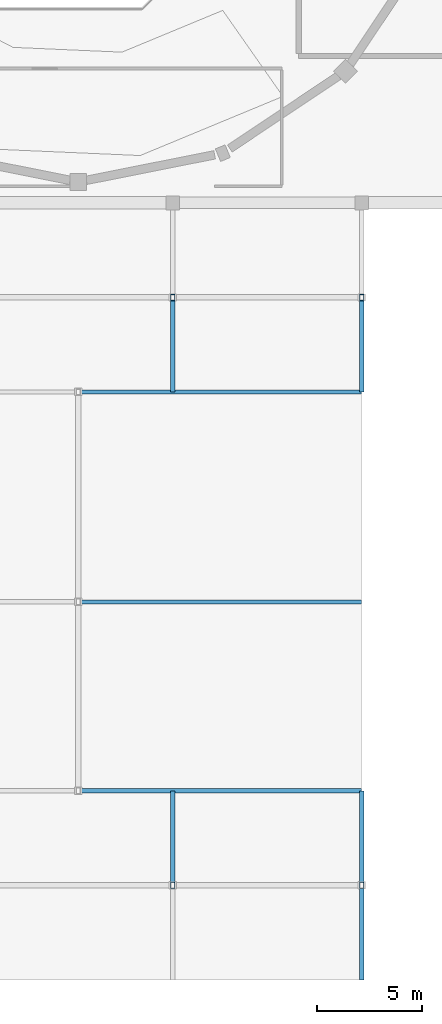
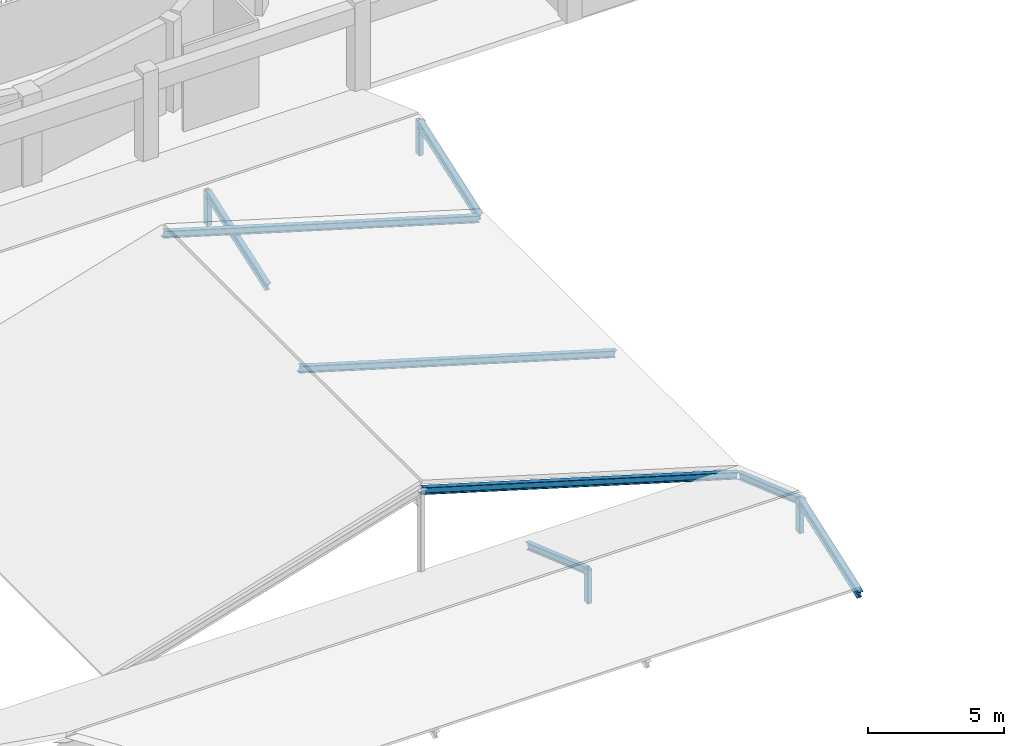
# One storey, part 31 of 80: 12 members.
"""IFC4 building model written with IfcOpenShell, lengths in metres."""

from ifc_helpers import new_model, si_unit, direction, frame, origin, origin_2d, place, context, subcontext, project, spatial, hollow_rectangle, i_section, extrude, material, material_profile, profile_set, type_object, element, save


model = new_model("IFC4")

# Units and contexts
model_context = context("Model", 3, precision=1e-05, world=origin(), true_north=direction((0.0, 1.0)))
body_context = subcontext(model_context, "Body", "Model", "MODEL_VIEW")
ifc_project = project(units=[si_unit("LENGTHUNIT", "METRE"), si_unit("AREAUNIT", "SQUARE_METRE"), si_unit("VOLUMEUNIT", "CUBIC_METRE"), si_unit("PLANEANGLEUNIT", "RADIAN"), si_unit("MASSUNIT", "GRAM", prefix="KILO")], contexts=[model_context])

# Site, building, storey
site_placement = place(None, origin())
site = spatial("IfcSite", under=ifc_project, at=site_placement, CompositionType="ELEMENT")
building_placement = place(site_placement, origin())
building = spatial("IfcBuilding", under=site, at=building_placement, Name="Miravela Opera House", CompositionType="ELEMENT")
storey_placement = place(building_placement, frame((0.0, 0.0, 17.679931640625)))
storey = spatial("IfcBuildingStorey", under=building, at=storey_placement, Name="L04", CompositionType="ELEMENT", Elevation=17.679931640625)

# Members
ifc_material_1 = material(Name="Hollow structural steel ASTM A500 Gr. C", Category="steel")
ifc_material_profile_1 = material_profile(ifc_material_1, hollow_rectangle(XDim=0.199951171875, YDim=0.300048828125, WallThickness=0.011962890625, InnerFilletRadius=0.011962890625, OuterFilletRadius=0.02392578125, at=origin_2d()), Name="HSS300X200X12")
ifc_profile_set_1 = profile_set([ifc_material_profile_1])
member_type_1 = type_object("IfcMemberType", Name="STR-MEM-POST-HSS300X200", PredefinedType="POST", material=ifc_profile_set_1)
for number, where, z_axis, x_axis, name in (
    (1, (81.0, 32.5, -0.25), (0.0, 0.0, 1.0), (1.0, 0.0, 0.0), "Roof Ridge Support Post ROOF-V4-WEST-N M7"),
    (2, (90.0, 32.5, -0.25), (0.0, 0.0, 1.0), (1.0, 0.0, 0.0), "Roof Gable King Post ROOF-V4-WEST-N E"),
    (3, (81.0, 4.5, -0.25), (0.0, 0.0, 1.0), (1.0, 0.0, 0.0), "Roof Ridge Support Post ROOF-V4-WEST-S M7"),
    (4, (90.0, 4.5, -0.25), (0.0, 0.0, 1.0), (1.0, 0.0, 0.0), "Roof Gable King Post ROOF-V4-WEST-S E"),
):
    element("IfcMember", number, at=place(storey_placement, frame(where, z_axis=z_axis, x_axis=x_axis)), inside=storey, type_object=member_type_1, Name=name, PredefinedType="POST", context=body_context, shape_type="SweptSolid", body=[
        extrude(hollow_rectangle(XDim=0.199951171875, YDim=0.300048828125, WallThickness=0.011962890625, InnerFilletRadius=0.011962890625, OuterFilletRadius=0.02392578125, at=origin_2d()), origin(), (0.0, 0.0, 1.0), 1.510009765625),
    ])
ifc_material_2 = material(Name="Structural steel ASTM A992 Gr. 50", Category="steel")
ifc_material_profile_2 = material_profile(ifc_material_2, i_section(OverallWidth=0.2041015625, OverallDepth=0.35009765625, WebThickness=0.008544921875, FlangeThickness=0.01513671875, FilletRadius=0.013916015625, at=origin_2d()), Name="W360X72")
ifc_profile_set_2 = profile_set([ifc_material_profile_2])
member_type_2 = type_object("IfcMemberType", Name="STR-MEM-RAFTER-1", PredefinedType="RAFTER", material=ifc_profile_set_2)
for number, where, z_axis, x_axis, name in (
    (5, (81.0, 28.050048828125, -0.39990234375), (0.0, 0.943687918104, 0.3308369889), (-1.0, 0.0, 0.0), "Pitched Roof Rafter ROOF-V4-WEST-N S7"),
    (6, (90.0, 28.050048828125, -0.39990234375), (0.0, 0.943687918104, 0.3308369889), (-1.0, 0.0, 0.0), "Pitched Roof Rafter ROOF-V4-WEST-N S8"),
    (7, (90.0, 0.050048828125, -0.39990234375), (0.0, 0.943687918104, 0.3308369889), (-1.0, 0.0, 0.0), "Pitched Roof Rafter ROOF-V4-WEST-S S8"),
):
    element("IfcMember", number, at=place(storey_placement, frame(where, z_axis=z_axis, x_axis=x_axis)), inside=storey, type_object=member_type_2, Name=name, PredefinedType="RAFTER", context=body_context, shape_type="SweptSolid", body=[
        extrude(i_section(OverallWidth=0.2041015625, OverallDepth=0.35009765625, WebThickness=0.008544921875, FlangeThickness=0.01513671875, FilletRadius=0.013916015625, at=origin_2d()), origin(), (0.0, 0.0, 1.0), 4.715576171875),
    ])
ifc_material_profile_3 = material_profile(ifc_material_2, i_section(OverallWidth=0.202880859375, OverallDepth=0.302978515625, WebThickness=0.007568359375, FlangeThickness=0.01318359375, FilletRadius=0.012939453125, at=origin_2d()), Name="W310X60")
ifc_profile_set_3 = profile_set([ifc_material_profile_3])
member_type_3 = type_object("IfcMemberType", Name="STR-MEM-RAFTER-2", PredefinedType="RAFTER", material=ifc_profile_set_3)
for number, where, z_axis, x_axis, name in (
    (8, (81.0, 8.949951171875, -0.39990234375), (0.0, -0.943687918104, 0.3308369889), (1.0, 0.0, 0.0), "Pitched Roof Rafter ROOF-V4-WEST-S N7"),
    (9, (90.0, 8.949951171875, -0.39990234375), (0.0, -0.943687918104, 0.3308369889), (1.0, 0.0, 0.0), "Pitched Roof Rafter ROOF-V4-WEST-S N8"),
):
    element("IfcMember", number, at=place(storey_placement, frame(where, z_axis=z_axis, x_axis=x_axis)), inside=storey, type_object=member_type_3, Name=name, PredefinedType="RAFTER", context=body_context, shape_type="SweptSolid", body=[
        extrude(i_section(OverallWidth=0.202880859375, OverallDepth=0.302978515625, WebThickness=0.007568359375, FlangeThickness=0.01318359375, FilletRadius=0.012939453125, at=origin_2d()), origin(), (0.0, 0.0, 1.0), 4.715576171875),
    ])
for number, where, z_axis, x_axis, name in (
    (10, (89.949951171875, 9.0, -0.39990234375), (-0.958314670289, 0.0, 0.285714880098), (0.0, -1.0, 0.0), "Pitched Roof Rafter ROOF-V4-MID E0"),
    (11, (89.949951171875, 18.0, -0.39990234375), (-0.958314670289, 0.0, 0.285714880098), (0.0, -1.0, 0.0), "Pitched Roof Rafter ROOF-V4-MID E1"),
    (12, (89.949951171875, 28.0, -0.39990234375), (-0.958314670289, 0.0, 0.285714880098), (0.0, -1.0, 0.0), "Pitched Roof Rafter ROOF-V4-MID E2"),
):
    element("IfcMember", number, at=place(storey_placement, frame(where, z_axis=z_axis, x_axis=x_axis)), inside=storey, type_object=member_type_3, Name=name, PredefinedType="RAFTER", context=body_context, shape_type="SweptSolid", body=[
        extrude(i_section(OverallWidth=0.202880859375, OverallDepth=0.302978515625, WebThickness=0.007568359375, FlangeThickness=0.01318359375, FilletRadius=0.012939453125, at=origin_2d()), origin(), (0.0, 0.0, 1.0), 14.034912109375),
    ])

save(model, "model.ifc")
